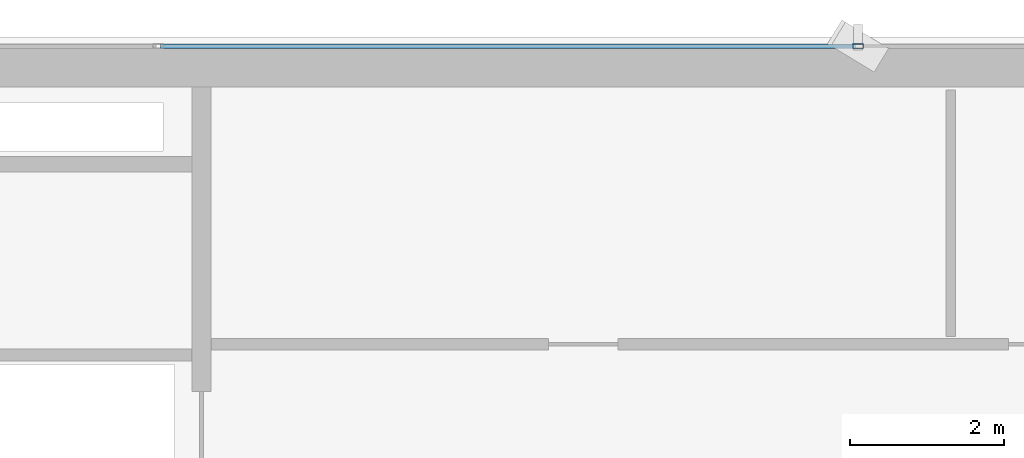
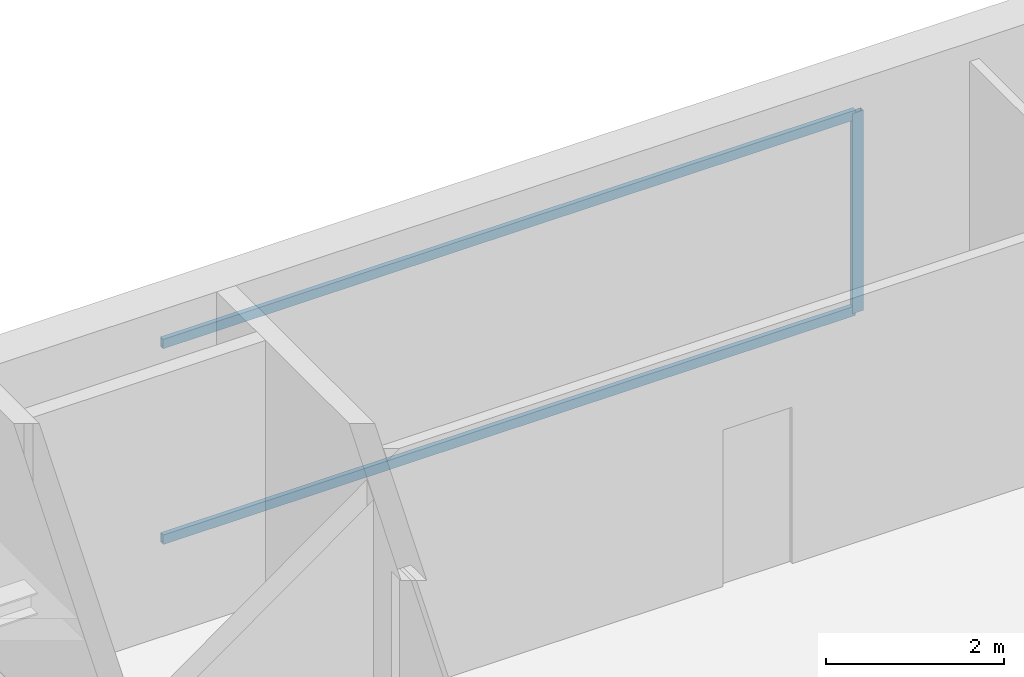
# One storey, part 16 of 25: 3 members, 1 element without a shape of its own.
"""IFC4 building model written with IfcOpenShell, lengths in metres."""

from ifc_helpers import new_model, si_unit, direction, frame, origin, origin_2d, place, context, subcontext, project, spatial, hollow_rectangle, extrude, source, transform, mapped, material, layer, layer_set, material_profile, profile_set, type_object, element, aggregate, save


model = new_model("IFC4")

# Units and contexts
model_context = context("Model", 3, precision=1e-05, world=origin(), true_north=direction((0.0, 1.0)))
body_context = subcontext(model_context, "Body", "Model", "MODEL_VIEW")
ifc_project = project(units=[si_unit("LENGTHUNIT", "METRE"), si_unit("AREAUNIT", "SQUARE_METRE"), si_unit("VOLUMEUNIT", "CUBIC_METRE"), si_unit("PLANEANGLEUNIT", "RADIAN"), si_unit("MASSUNIT", "GRAM", prefix="KILO")], contexts=[model_context])

# Site, building, storey
site_placement = place(None, origin())
site = spatial("IfcSite", under=ifc_project, at=site_placement, CompositionType="ELEMENT")
building_placement = place(site_placement, origin())
building = spatial("IfcBuilding", under=site, at=building_placement, Name="Sumidabori Civic Tower", CompositionType="ELEMENT")
storey_placement = place(building_placement, frame((0.0, 0.0, 246.800048828125)))
storey = spatial("IfcBuildingStorey", under=building, at=storey_placement, Name="L64", CompositionType="ELEMENT", Elevation=246.800048828125)

# Curtain wall, members
ifc_material = material(Name="Anodised Bronze Aluminium AW-6063-T6", Category="aluminium")
ifc_layer = layer(ifc_material, 0.179931640625, Name="Anodised Bronze Aluminium AW-6063-T6")
ifc_layer_set = layer_set([ifc_layer], Name="Anodised Bronze Aluminium AW-6063-T6")
curtain_wall_type = type_object("IfcCurtainWallType", Name="CW-SYS-5", PredefinedType="NOTDEFINED", material=ifc_layer_set)
curtain_wall_placement = place(storey_placement, origin())
curtain_wall = element("IfcCurtainWall", 1, at=curtain_wall_placement, inside=storey, type_object=curtain_wall_type, Name="Curtain Wall CW:L64:R07", PredefinedType="NOTDEFINED")
ifc_material_profile_1 = material_profile(ifc_material, hollow_rectangle(XDim=0.06005859375, YDim=0.139892578125, WallThickness=0.0048828125, at=origin_2d()), Name="ALU MULLION 140x60")
ifc_profile_set_1 = profile_set([ifc_material_profile_1], Name="Anodised Bronze Aluminium AW-6063-T6")
member_type_1 = type_object("IfcMemberType", Name="CW-MUL-140", PredefinedType="MULLION", material=ifc_profile_set_1)
shared_shape_1 = source(origin(), body_context, "Body", "SweptSolid", [
    extrude(hollow_rectangle(XDim=0.06005859375, YDim=0.139892578125, WallThickness=0.0048828125, at=origin_2d()), origin(), (0.0, 0.0, 1.0), 2.75),
])
member_1_placement = place(storey_placement, frame((0.0, 24.080078125, 0.0), z_axis=(0.0, 0.0, 1.0), x_axis=(0.0, -1.0, 0.0)))
member_1 = element("IfcMember", 2, at=member_1_placement, type_object=member_type_1, Name="CW-5 mullion 3", PredefinedType="MULLION", context=body_context, shape_type="MappedRepresentation", body=[
    mapped(shared_shape_1, transform((0.0, 0.0, 0.0), x_axis=(1.0, 0.0, 0.0), y_axis=(0.0, 1.0, 0.0), z_axis=(0.0, 0.0, 1.0), scale=1.0)),
])
ifc_material_profile_2 = material_profile(ifc_material, hollow_rectangle(XDim=0.06005859375, YDim=0.1298828125, WallThickness=0.0048828125, at=origin_2d()), Name="ALU TRANSOM 130x60")
ifc_profile_set_2 = profile_set([ifc_material_profile_2], Name="Anodised Bronze Aluminium AW-6063-T6")
member_type_2 = type_object("IfcMemberType", Name="CW-TRN-130", PredefinedType="USERDEFINED", material=ifc_profile_set_2)
shared_shape_2 = source(origin(), body_context, "Body", "SweptSolid", [
    extrude(hollow_rectangle(XDim=0.06005859375, YDim=0.1298828125, WallThickness=0.0048828125, at=origin_2d()), origin(), (0.0, 0.0, 1.0), 9.0),
])
member_2_placement = place(storey_placement, frame((-0.030029296875, 24.080078125, 0.030029296875), z_axis=(-1.0, 0.0, 0.0), x_axis=(0.0, -1.0, 0.0)))
member_2 = element("IfcMember", 3, at=member_2_placement, type_object=member_type_2, Name="CW-5 transom 3.1", ObjectType="TRANSOM", PredefinedType="USERDEFINED", context=body_context, shape_type="MappedRepresentation", body=[
    mapped(shared_shape_2, transform((0.0, 0.0, 0.0), x_axis=(1.0, 0.0, 0.0), y_axis=(0.0, 1.0, 0.0), z_axis=(0.0, 0.0, 1.0), scale=1.0)),
])
member_3_placement = place(storey_placement, frame((-0.030029296875, 24.080078125, 2.719970703125), z_axis=(-1.0, 0.0, 0.0), x_axis=(0.0, -1.0, 0.0)))
member_3 = element("IfcMember", 4, at=member_3_placement, type_object=member_type_2, Name="CW-5 transom 3.2", ObjectType="TRANSOM", PredefinedType="USERDEFINED", context=body_context, shape_type="MappedRepresentation", body=[
    mapped(shared_shape_2, transform((0.0, 0.0, 0.0), x_axis=(1.0, 0.0, 0.0), y_axis=(0.0, 1.0, 0.0), z_axis=(0.0, 0.0, 1.0), scale=1.0)),
])
aggregate(curtain_wall, [member_1, member_2, member_3])

save(model, "model.ifc")
